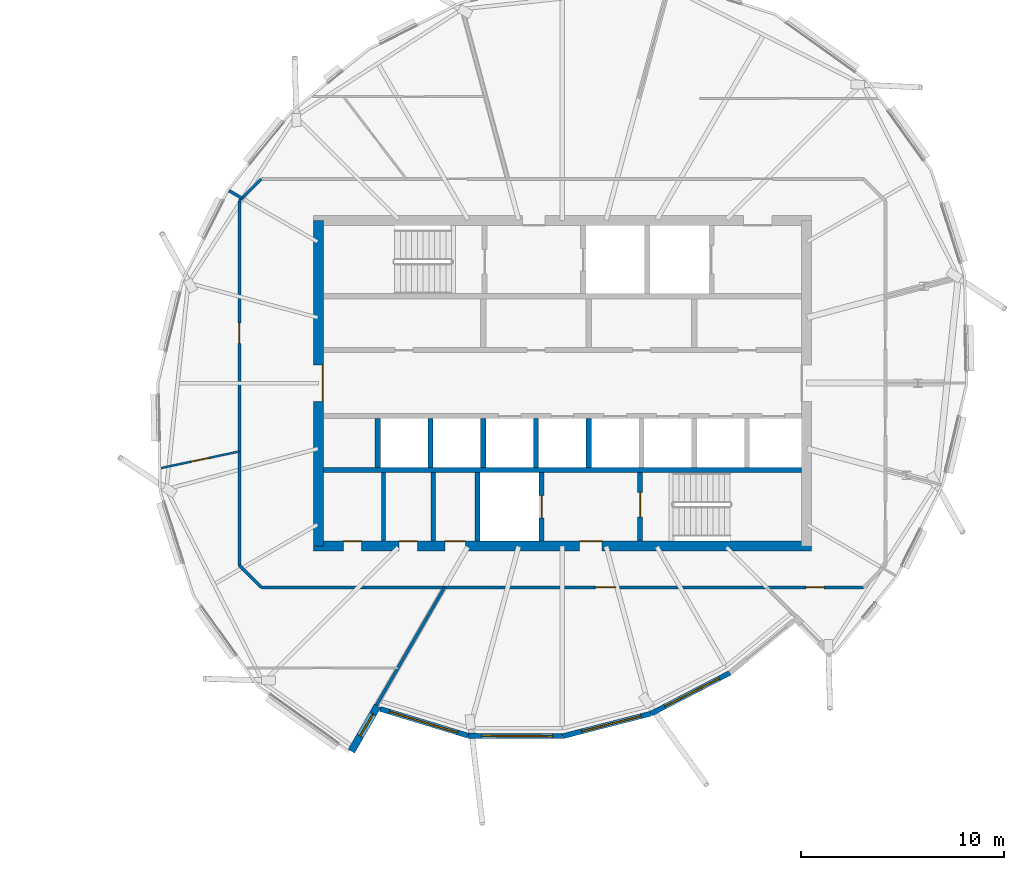
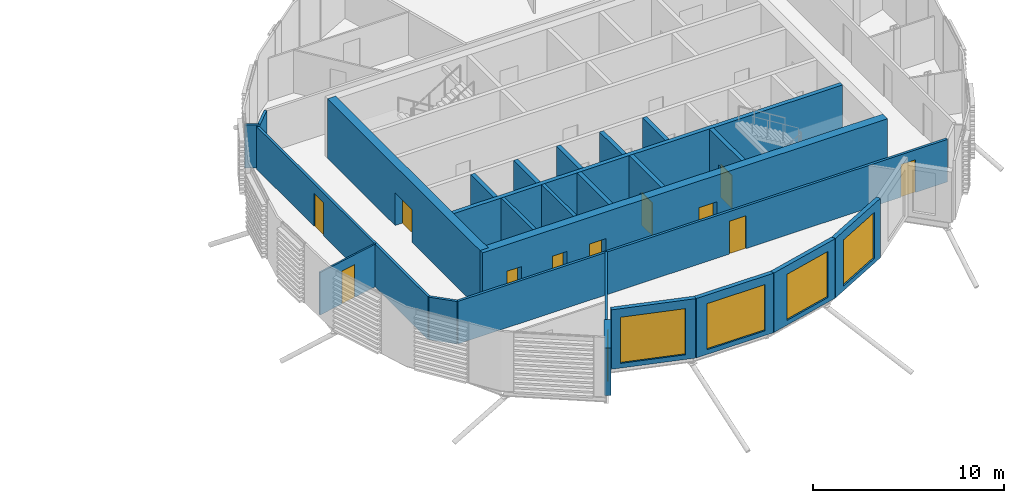
# One storey, part 23 of 41: 25 walls, 11 doors, 5 windows, 16 openings.
"""IFC4 building model written with IfcOpenShell, lengths in metres."""

from ifc_helpers import new_model, si_unit, direction, frame, frame_2d, origin, place, context, subcontext, project, spatial, rectangle, extrude, material, layer, layer_set, type_object, element, fill, save


model = new_model("IFC4")

# Units and contexts
model_context = context("Model", 3, precision=1e-05, world=origin(), true_north=direction((0.0, 1.0)))
body_context = subcontext(model_context, "Body", "Model", "MODEL_VIEW")
ifc_project = project(units=[si_unit("LENGTHUNIT", "METRE"), si_unit("AREAUNIT", "SQUARE_METRE"), si_unit("VOLUMEUNIT", "CUBIC_METRE"), si_unit("PLANEANGLEUNIT", "RADIAN"), si_unit("MASSUNIT", "GRAM", prefix="KILO")], contexts=[model_context])

# Site, building, storey
site_placement = place(None, origin())
site = spatial("IfcSite", under=ifc_project, at=site_placement, CompositionType="ELEMENT")
building_placement = place(site_placement, origin())
building = spatial("IfcBuilding", under=site, at=building_placement, Name="Rimbun Link Towers", CompositionType="ELEMENT")
storey_placement = place(building_placement, frame((0.0, 0.0, 214.300048828125)))
storey = spatial("IfcBuildingStorey", under=building, at=storey_placement, Name="L52", CompositionType="ELEMENT", Elevation=214.300048828125)

# Wall, opening, window
ifc_material_1 = material(Name="Dark enamelled glass spandrel on insulated aluminium backpan", Category="aluminium")
ifc_layer_1 = layer(ifc_material_1, 0.25)
ifc_layer_set_1 = layer_set([ifc_layer_1], Name="CS dark enamelled spandrel wall 250")
wall_type_1 = type_object("IfcWallType", Name="CS dark enamelled spandrel wall 250", PredefinedType="STANDARD", material=ifc_layer_set_1)
wall_1_placement = place(storey_placement, frame((27.11865234375, -17.338623046875, 0.0), z_axis=(0.0, 0.0, 1.0), x_axis=(-0.956574513319, 0.291487907928, 0.0)))
wall_1 = element("IfcWall", 1, at=wall_1_placement, inside=storey, type_object=wall_type_1, Name="Crease spandrel wall", PredefinedType="STANDARD", context=body_context, shape_type="SweptSolid", body=[
    extrude(rectangle(XDim=4.525390625, YDim=0.25, at=frame_2d((2.2626953125, 0.0))), origin(), (0.0, 0.0, 1.0), 3.800048828125),
])
opening_1_placement = place(wall_1_placement, frame((0.5498046875, 0.0, 0.300048828125)))
opening_1 = element("IfcOpeningElement", 2, at=opening_1_placement, cuts=wall_1, Name="Opening WR35H295", PredefinedType="OPENING", context=body_context, shape_type="SweptSolid", body=[
    extrude(rectangle(XDim=3.5, YDim=2.949951171875, at=frame_2d((1.75, 1.47509765625))), frame((0.0, 0.135009765625, 0.0), z_axis=(0.0, -1.0, 0.0), x_axis=(1.0, 0.0, 0.0)), (0.0, 0.0, 1.0), 0.27001953125),
])
ifc_material_2 = material(Name="Aluminium framed fixed window, dark tinted low-e glass", Category="aluminium")
window_type_1 = type_object("IfcWindowType", Name="WR ribbon window 3500X2950", PartitioningType="SINGLE_PANEL", PredefinedType="WINDOW", material=ifc_material_2)
window_1_placement = place(opening_1_placement, origin())
window_1 = element("IfcWindow", 3, at=window_1_placement, inside=storey, type_object=window_type_1, Name="Crease ribbon window", OverallHeight=2.949951171875, OverallWidth=3.5, PartitioningType="SINGLE_PANEL", PredefinedType="WINDOW", context=body_context, shape_type="SweptSolid", body=[
    extrude(rectangle(XDim=3.5, YDim=2.949951171875, at=frame_2d((1.75, 1.47509765625))), frame((0.0, 0.030029296875, 0.0), z_axis=(0.0, -1.0, 0.0), x_axis=(1.0, 0.0, 0.0)), (0.0, 0.0, 1.0), 0.06005859375),
])
fill(opening_1, window_1)

wall_2_placement = place(storey_placement, frame((31.765380859375, -17.361328125, 0.0), z_axis=(0.0, 0.0, 1.0), x_axis=(-0.999988062493, 0.004886191867, 0.0)))
wall_2 = element("IfcWall", 4, at=wall_2_placement, inside=storey, type_object=wall_type_1, Name="Crease spandrel wall", PredefinedType="STANDARD", context=body_context, shape_type="SweptSolid", body=[
    extrude(rectangle(XDim=4.646728515625, YDim=0.25, at=frame_2d((2.3232421875, 0.0))), origin(), (0.0, 0.0, 1.0), 3.800048828125),
])
opening_2_placement = place(wall_2_placement, frame((0.49267578125, 0.0, 0.300048828125)))
opening_2 = element("IfcOpeningElement", 5, at=opening_2_placement, cuts=wall_2, Name="Opening WR35H295", PredefinedType="OPENING", context=body_context, shape_type="SweptSolid", body=[
    extrude(rectangle(XDim=3.5, YDim=2.949951171875, at=frame_2d((1.75, 1.47509765625))), frame((0.0, 0.135009765625, 0.0), z_axis=(0.0, -1.0, 0.0), x_axis=(1.0, 0.0, 0.0)), (0.0, 0.0, 1.0), 0.27001953125),
])
window_2_placement = place(opening_2_placement, origin())
window_2 = element("IfcWindow", 6, at=window_2_placement, inside=storey, type_object=window_type_1, Name="Crease ribbon window", OverallHeight=2.949951171875, OverallWidth=3.5, PartitioningType="SINGLE_PANEL", PredefinedType="WINDOW", context=body_context, shape_type="SweptSolid", body=[
    extrude(rectangle(XDim=3.5, YDim=2.949951171875, at=frame_2d((1.75, 1.47509765625))), frame((0.0, 0.030029296875, 0.0), z_axis=(0.0, -1.0, 0.0), x_axis=(1.0, 0.0, 0.0)), (0.0, 0.0, 1.0), 0.06005859375),
])
fill(opening_2, window_2)

wall_3_placement = place(storey_placement, frame((36.116943359375, -16.247802734375, 0.0), z_axis=(0.0, 0.0, 1.0), x_axis=(-0.968784795865, -0.247903245845, 0.0)))
wall_3 = element("IfcWall", 7, at=wall_3_placement, inside=storey, type_object=wall_type_1, Name="Crease spandrel wall", PredefinedType="STANDARD", context=body_context, shape_type="SweptSolid", body=[
    extrude(rectangle(XDim=4.49169921875, YDim=0.25, at=frame_2d((2.245849609375, 0.0))), origin(), (0.0, 0.0, 1.0), 3.800048828125),
])
opening_3_placement = place(wall_3_placement, frame((0.51171875, 0.0, 0.300048828125)))
opening_3 = element("IfcOpeningElement", 8, at=opening_3_placement, cuts=wall_3, Name="Opening WR30H295", PredefinedType="OPENING", context=body_context, shape_type="SweptSolid", body=[
    extrude(rectangle(XDim=3.0, YDim=2.949951171875, at=frame_2d((1.5, 1.47509765625))), frame((0.0, 0.135009765625, 0.0), z_axis=(0.0, -1.0, 0.0), x_axis=(1.0, 0.0, 0.0)), (0.0, 0.0, 1.0), 0.27001953125),
])
ifc_material_3 = material(Name="Aluminium framed fixed window, dark tinted low-e glass", Category="aluminium")
window_type_2 = type_object("IfcWindowType", Name="WR ribbon window 3000X2950", PartitioningType="SINGLE_PANEL", PredefinedType="WINDOW", material=ifc_material_3)
window_3_placement = place(opening_3_placement, origin())
window_3 = element("IfcWindow", 9, at=window_3_placement, inside=storey, type_object=window_type_2, Name="Crease ribbon window", OverallHeight=2.949951171875, OverallWidth=3.0, PartitioningType="SINGLE_PANEL", PredefinedType="WINDOW", context=body_context, shape_type="SweptSolid", body=[
    extrude(rectangle(XDim=3.0, YDim=2.949951171875, at=frame_2d((1.5, 1.47509765625))), frame((0.0, 0.030029296875, 0.0), z_axis=(0.0, -1.0, 0.0), x_axis=(1.0, 0.0, 0.0)), (0.0, 0.0, 1.0), 0.06005859375),
])
fill(opening_3, window_3)

wall_4_placement = place(storey_placement, frame((39.9853515625, -14.249755859375, 0.0), z_axis=(0.0, 0.0, 1.0), x_axis=(-0.888484972791, -0.458905712674, 0.0)))
wall_4 = element("IfcWall", 10, at=wall_4_placement, inside=storey, type_object=wall_type_1, Name="Crease spandrel wall", PredefinedType="STANDARD", context=body_context, shape_type="SweptSolid", body=[
    extrude(rectangle(XDim=4.35400390625, YDim=0.25, at=frame_2d((2.177001953125, 0.0))), origin(), (0.0, 0.0, 1.0), 3.800048828125),
])
opening_4_placement = place(wall_4_placement, frame((0.593505859375, 0.0, 0.300048828125)))
opening_4 = element("IfcOpeningElement", 11, at=opening_4_placement, cuts=wall_4, Name="Opening WR30H295", PredefinedType="OPENING", context=body_context, shape_type="SweptSolid", body=[
    extrude(rectangle(XDim=3.0, YDim=2.949951171875, at=frame_2d((1.5, 1.47509765625))), frame((0.0, 0.135009765625, 0.0), z_axis=(0.0, -1.0, 0.0), x_axis=(1.0, 0.0, 0.0)), (0.0, 0.0, 1.0), 0.27001953125),
])
window_4_placement = place(opening_4_placement, origin())
window_4 = element("IfcWindow", 12, at=window_4_placement, inside=storey, type_object=window_type_2, Name="Crease ribbon window", OverallHeight=2.949951171875, OverallWidth=3.0, PartitioningType="SINGLE_PANEL", PredefinedType="WINDOW", context=body_context, shape_type="SweptSolid", body=[
    extrude(rectangle(XDim=3.0, YDim=2.949951171875, at=frame_2d((1.5, 1.47509765625))), frame((0.0, 0.030029296875, 0.0), z_axis=(0.0, -1.0, 0.0), x_axis=(1.0, 0.0, 0.0)), (0.0, 0.0, 1.0), 0.06005859375),
])
fill(opening_4, window_4)

ifc_material_4 = material(Name="Dark enamelled glass spandrel on insulated aluminium backpan", Category="aluminium")
ifc_layer_2 = layer(ifc_material_4, 0.3701171875)
ifc_layer_set_2 = layer_set([ifc_layer_2], Name="CS dark enamelled spandrel wall 370")
wall_type_2 = type_object("IfcWallType", Name="CS dark enamelled spandrel wall 370", PredefinedType="STANDARD", material=ifc_layer_set_2)
wall_5_placement = place(storey_placement, frame((22.664794921875, -15.865966796875, 0.0), z_axis=(0.0, 0.0, 1.0), x_axis=(-0.500006411147, -0.866021702275, 0.0)))
wall_5 = element("IfcWall", 13, at=wall_5_placement, inside=storey, type_object=wall_type_2, Name="Crease spandrel wall", PredefinedType="STANDARD", context=body_context, shape_type="SweptSolid", body=[
    extrude(rectangle(XDim=2.580078125, YDim=0.3701171875, at=frame_2d((1.2900390625, 0.0))), origin(), (0.0, 0.0, 1.0), 3.04736328125),
])
opening_5_placement = place(wall_5_placement, frame((0.46630859375, 0.0, 0.300048828125)))
opening_5 = element("IfcOpeningElement", 14, at=opening_5_placement, cuts=wall_5, Name="Opening WR12H245", PredefinedType="OPENING", context=body_context, shape_type="SweptSolid", body=[
    extrude(rectangle(XDim=1.25, YDim=2.449951171875, at=frame_2d((0.625, 1.22509765625))), frame((0.0, 0.195068359375, 0.0), z_axis=(0.0, -1.0, 0.0), x_axis=(1.0, 0.0, 0.0)), (0.0, 0.0, 1.0), 0.39013671875),
])
ifc_material_5 = material(Name="Aluminium framed fixed window, dark tinted low-e glass", Category="aluminium")
window_type_3 = type_object("IfcWindowType", Name="WR ribbon window 1250X2450", PartitioningType="SINGLE_PANEL", PredefinedType="WINDOW", material=ifc_material_5)
window_5_placement = place(opening_5_placement, origin())
window_5 = element("IfcWindow", 15, at=window_5_placement, inside=storey, type_object=window_type_3, Name="Crease ribbon window", OverallHeight=2.449951171875, OverallWidth=1.25, PartitioningType="SINGLE_PANEL", PredefinedType="WINDOW", context=body_context, shape_type="SweptSolid", body=[
    extrude(rectangle(XDim=1.25, YDim=2.449951171875, at=frame_2d((0.625, 1.22509765625))), frame((0.0, 0.030029296875, 0.0), z_axis=(0.0, -1.0, 0.0), x_axis=(1.0, 0.0, 0.0)), (0.0, 0.0, 1.0), 0.06005859375),
])
fill(opening_5, window_5)

# Walls
ifc_material_6 = material(Name="Masonry blockwork", Category="masonry")
ifc_layer_3 = layer(ifc_material_6, 0.199951171875)
ifc_layer_set_3 = layer_set([ifc_layer_3], Name="Core partition 200")
wall_type_3 = type_object("IfcWallType", Name="Core partition 200", PredefinedType="PARTITIONING", material=ifc_layer_set_3)
for number, where, z_axis, x_axis, name in (
    (16, (22.949951171875, -4.39990234375, 0.0), (0.0, 0.0, 1.0), (0.0, -1.0, 0.0), "L52 T2 core wall C1"),
    (17, (25.39990234375, -4.39990234375, 0.0), (0.0, 0.0, 1.0), (0.0, -1.0, 0.0), "L52 T2 core wall C2"),
):
    element("IfcWall", number, at=place(storey_placement, frame(where, z_axis=z_axis, x_axis=x_axis)), inside=storey, type_object=wall_type_3, Name=name, PredefinedType="PARTITIONING", context=body_context, shape_type="SweptSolid", body=[
        extrude(rectangle(XDim=3.35009765625, YDim=0.199951171875, at=frame_2d((1.675048828125, 0.0))), origin(), (0.0, 0.0, 1.0), 3.800048828125),
    ])

# Wall, openings, doors
ifc_material_7 = material(Name="Concrete C60/75", Category="concrete")
ifc_layer_4 = layer(ifc_material_7, 0.5)
ifc_layer_set_4 = layer_set([ifc_layer_4], Name="Core shear wall 500")
wall_type_4 = type_object("IfcWallType", Name="Core shear wall 500", PredefinedType="SHEAR", material=ifc_layer_set_4)
wall_6_placement = place(storey_placement, frame((19.5, -8.0, 0.0), z_axis=(0.0, 0.0, 1.0), x_axis=(1.0, 0.0, 0.0)))
wall_6 = element("IfcWall", 18, at=wall_6_placement, inside=storey, type_object=wall_type_4, Name="L52 T2 core wall S", PredefinedType="SHEAR", context=body_context, shape_type="SweptSolid", body=[
    extrude(rectangle(XDim=24.5, YDim=0.5, at=frame_2d((12.25, 0.0))), origin(), (0.0, 0.0, 1.0), 3.800048828125),
])
opening_6_placement = place(wall_6_placement, frame((13.10009765625, 0.0, 0.0)))
opening_6 = element("IfcOpeningElement", 19, at=opening_6_placement, cuts=wall_6, Name="Opening C2DCF01S", PredefinedType="OPENING", context=body_context, shape_type="SweptSolid", body=[
    extrude(rectangle(XDim=1.10009765625, YDim=2.10009765625, at=frame_2d((0.550048828125, 1.050048828125))), frame((0.0, 0.260009765625, 0.0), z_axis=(0.0, -1.0, 0.0), x_axis=(1.0, 0.0, 0.0)), (0.0, 0.0, 1.0), 0.52001953125),
])
opening_7_placement = place(wall_6_placement, frame((1.47509765625, 0.0, 0.0)))
opening_7 = element("IfcOpeningElement", 20, at=opening_7_placement, cuts=wall_6, Name="Opening C2DWC02S", PredefinedType="OPENING", context=body_context, shape_type="SweptSolid", body=[
    extrude(rectangle(XDim=0.89990234375, YDim=2.10009765625, at=frame_2d((0.449951171875, 1.050048828125))), frame((0.0, 0.260009765625, 0.0), z_axis=(0.0, -1.0, 0.0), x_axis=(1.0, 0.0, 0.0)), (0.0, 0.0, 1.0), 0.52001953125),
])
opening_8_placement = place(wall_6_placement, frame((4.22509765625, 0.0, 0.0)))
opening_8 = element("IfcOpeningElement", 21, at=opening_8_placement, cuts=wall_6, Name="Opening C2DWC03S", PredefinedType="OPENING", context=body_context, shape_type="SweptSolid", body=[
    extrude(rectangle(XDim=0.89990234375, YDim=2.10009765625, at=frame_2d((0.449951171875, 1.050048828125))), frame((0.0, 0.260009765625, 0.0), z_axis=(0.0, -1.0, 0.0), x_axis=(1.0, 0.0, 0.0)), (0.0, 0.0, 1.0), 0.52001953125),
])
opening_9_placement = place(wall_6_placement, frame((6.47509765625, 0.0, 0.0)))
opening_9 = element("IfcOpeningElement", 22, at=opening_9_placement, cuts=wall_6, Name="Opening C2DAW04S", PredefinedType="OPENING", context=body_context, shape_type="SweptSolid", body=[
    extrude(rectangle(XDim=1.0, YDim=2.10009765625, at=frame_2d((0.5, 1.050048828125))), frame((0.0, 0.260009765625, 0.0), z_axis=(0.0, -1.0, 0.0), x_axis=(1.0, 0.0, 0.0)), (0.0, 0.0, 1.0), 0.52001953125),
])
ifc_material_8 = material(Name="Timber", Category="wood")
door_type_1 = type_object("IfcDoorType", Name="Accessible WC door", OperationType="SINGLE_SWING_LEFT", PredefinedType="DOOR", material=ifc_material_8)
door_1_placement = place(opening_9_placement, origin())
door_1 = element("IfcDoor", 23, at=door_1_placement, inside=storey, type_object=door_type_1, Name="L52 T2 accessible wc door", OperationType="SINGLE_SWING_RIGHT", OverallHeight=2.10009765625, OverallWidth=1.0, PredefinedType="DOOR", context=body_context, shape_type="SweptSolid", body=[
    extrude(rectangle(XDim=1.0, YDim=2.10009765625, at=frame_2d((0.5, 1.050048828125))), frame((0.0, 0.25, 0.0), z_axis=(0.0, -1.0, 0.0), x_axis=(1.0, 0.0, 0.0)), (0.0, 0.0, 1.0), 0.050048828125),
])
fill(opening_9, door_1)
ifc_material_9 = material(Name="Steel fire door set", Category="steel")
door_type_2 = type_object("IfcDoorType", Name="Core fire door single", OperationType="SINGLE_SWING_LEFT", PredefinedType="DOOR", material=ifc_material_9)
door_2_placement = place(opening_6_placement, origin())
door_2 = element("IfcDoor", 24, at=door_2_placement, inside=storey, type_object=door_type_2, Name="L52 T2 firefighting lobby s door", OperationType="SINGLE_SWING_RIGHT", OverallHeight=2.10009765625, OverallWidth=1.10009765625, PredefinedType="DOOR", context=body_context, shape_type="SweptSolid", body=[
    extrude(rectangle(XDim=1.10009765625, YDim=2.10009765625, at=frame_2d((0.550048828125, 1.050048828125))), frame((0.0, 0.25, 0.0), z_axis=(0.0, -1.0, 0.0), x_axis=(1.0, 0.0, 0.0)), (0.0, 0.0, 1.0), 0.050048828125),
])
fill(opening_6, door_2)
ifc_material_10 = material(Name="Timber", Category="wood")
door_type_3 = type_object("IfcDoorType", Name="WC door", OperationType="SINGLE_SWING_LEFT", PredefinedType="DOOR", material=ifc_material_10)
door_3_placement = place(opening_7_placement, origin())
door_3 = element("IfcDoor", 25, at=door_3_placement, inside=storey, type_object=door_type_3, Name="L52 T2 male wc door", OperationType="SINGLE_SWING_RIGHT", OverallHeight=2.10009765625, OverallWidth=0.89990234375, PredefinedType="DOOR", context=body_context, shape_type="SweptSolid", body=[
    extrude(rectangle(XDim=0.89990234375, YDim=2.10009765625, at=frame_2d((0.449951171875, 1.050048828125))), frame((0.0, 0.25, 0.0), z_axis=(0.0, -1.0, 0.0), x_axis=(1.0, 0.0, 0.0)), (0.0, 0.0, 1.0), 0.050048828125),
])
fill(opening_7, door_3)
door_4_placement = place(opening_8_placement, origin())
door_4 = element("IfcDoor", 26, at=door_4_placement, inside=storey, type_object=door_type_3, Name="L52 T2 female wc door", OperationType="SINGLE_SWING_LEFT", OverallHeight=2.10009765625, OverallWidth=0.89990234375, PredefinedType="DOOR", context=body_context, shape_type="SweptSolid", body=[
    extrude(rectangle(XDim=0.89990234375, YDim=2.10009765625, at=frame_2d((0.449951171875, 1.050048828125))), frame((0.0, 0.25, 0.0), z_axis=(0.0, -1.0, 0.0), x_axis=(1.0, 0.0, 0.0)), (0.0, 0.0, 1.0), 0.050048828125),
])
fill(opening_8, door_4)

# Wall, opening, door
wall_7_placement = place(storey_placement, frame((19.75, -8.0, 0.0), z_axis=(0.0, 0.0, 1.0), x_axis=(0.0, 1.0, 0.0)))
wall_7 = element("IfcWall", 27, at=wall_7_placement, inside=storey, type_object=wall_type_4, Name="L52 T2 core wall W", PredefinedType="SHEAR", context=body_context, shape_type="SweptSolid", body=[
    extrude(rectangle(XDim=16.0, YDim=0.5, at=frame_2d((8.0, 0.0))), origin(), (0.0, 0.0, 1.0), 3.800048828125),
])
opening_10_placement = place(wall_7_placement, frame((7.10009765625, 0.0, 0.0)))
opening_10 = element("IfcOpeningElement", 28, at=opening_10_placement, cuts=wall_7, Name="Opening C2DCL01W", PredefinedType="OPENING", context=body_context, shape_type="SweptSolid", body=[
    extrude(rectangle(XDim=1.800048828125, YDim=2.10009765625, at=frame_2d((0.89990234375, 1.050048828125))), frame((0.0, 0.260009765625, 0.0), z_axis=(0.0, -1.0, 0.0), x_axis=(1.0, 0.0, 0.0)), (0.0, 0.0, 1.0), 0.52001953125),
])
ifc_material_11 = material(Name="Steel fire door set", Category="steel")
door_type_4 = type_object("IfcDoorType", Name="Core lobby door double", OperationType="DOUBLE_DOOR_SINGLE_SWING", PredefinedType="DOOR", material=ifc_material_11)
door_5_placement = place(opening_10_placement, origin())
door_5 = element("IfcDoor", 29, at=door_5_placement, inside=storey, type_object=door_type_4, Name="L52 T2 lift lobby door", OperationType="DOUBLE_DOOR_SINGLE_SWING", OverallHeight=2.10009765625, OverallWidth=1.800048828125, PredefinedType="DOOR", context=body_context, shape_type="SweptSolid", body=[
    extrude(rectangle(XDim=1.800048828125, YDim=2.10009765625, at=frame_2d((0.89990234375, 1.050048828125))), frame((0.0, -0.2001953125, 0.0), z_axis=(0.0, -1.0, 0.0), x_axis=(1.0, 0.0, 0.0)), (0.0, 0.0, 1.0), 0.050048828125),
])
fill(opening_10, door_5)

# Wall, openings, doors
ifc_material_12 = material(Name="Plasterboard on steel stud, mineral wool", Category="steel")
ifc_layer_5 = layer(ifc_material_12, 0.14990234375)
ifc_layer_set_5 = layer_set([ifc_layer_5], Name="Corridor wall EI 30 150 mm")
wall_type_5 = type_object("IfcWallType", Name="Corridor wall EI 30 150 mm", PredefinedType="PARTITIONING", material=ifc_layer_set_5)
wall_8_placement = place(storey_placement, frame((46.5537109375, -10.044921875, 0.0), z_axis=(0.0, 0.0, 1.0), x_axis=(-1.0, 0.0, 0.0)))
wall_8 = element("IfcWall", 30, at=wall_8_placement, inside=storey, type_object=wall_type_5, Name="Corridor wall EI 30 150 mm", PredefinedType="PARTITIONING", context=body_context, shape_type="SweptSolid", body=[
    extrude(rectangle(XDim=29.607421875, YDim=0.14990234375, at=frame_2d((14.8037109375, 0.0))), origin(), (0.0, 0.0, 1.0), 2.721923828125),
])
opening_11_placement = place(wall_8_placement, frame((1.92919921875, 0.0, 0.0)))
opening_11 = element("IfcOpeningElement", 31, at=opening_11_placement, cuts=wall_8, Name="Opening D02", PredefinedType="OPENING", context=body_context, shape_type="SweptSolid", body=[
    extrude(rectangle(XDim=0.89990234375, YDim=2.10009765625, at=frame_2d((0.449951171875, 1.050048828125))), frame((0.0, 0.0849609375, 0.0), z_axis=(0.0, -1.0, 0.0), x_axis=(1.0, 0.0, 0.0)), (0.0, 0.0, 1.0), 0.169921875),
])
opening_12_placement = place(wall_8_placement, frame((12.180908203125, 0.0, 0.0)))
opening_12 = element("IfcOpeningElement", 32, at=opening_12_placement, cuts=wall_8, Name="Opening D01", PredefinedType="OPENING", context=body_context, shape_type="SweptSolid", body=[
    extrude(rectangle(XDim=1.0, YDim=2.10009765625, at=frame_2d((0.5, 1.050048828125))), frame((0.0, 0.0849609375, 0.0), z_axis=(0.0, -1.0, 0.0), x_axis=(1.0, 0.0, 0.0)), (0.0, 0.0, 1.0), 0.169921875),
])
ifc_material_13 = material(Name="Fire-resisting timber door leaf", Category="wood")
door_type_5 = type_object("IfcDoorType", Name="Fire door FD30S 1000", OperationType="NOTDEFINED", PredefinedType="DOOR", material=ifc_material_13)
door_6_placement = place(opening_12_placement, origin())
door_6 = element("IfcDoor", 33, at=door_6_placement, inside=storey, type_object=door_type_5, Name="Fire door FD30S 1000 to Terrace office", OperationType="SINGLE_SWING_RIGHT", OverallHeight=2.10009765625, OverallWidth=1.0, PredefinedType="DOOR", context=body_context, shape_type="SweptSolid", body=[
    extrude(rectangle(XDim=1.0, YDim=2.10009765625, at=frame_2d((0.5, 1.050048828125))), frame((0.0, 0.02490234375, 0.0), z_axis=(0.0, -1.0, 0.0), x_axis=(1.0, 0.0, 0.0)), (0.0, 0.0, 1.0), 0.050048828125),
])
fill(opening_12, door_6)
ifc_material_14 = material(Name="Fire-resisting timber door leaf", Category="wood")
door_type_6 = type_object("IfcDoorType", Name="Fire door FD30S 900", OperationType="NOTDEFINED", PredefinedType="DOOR", material=ifc_material_14)
door_7_placement = place(opening_11_placement, origin())
door_7 = element("IfcDoor", 34, at=door_7_placement, inside=storey, type_object=door_type_6, Name="Fire door FD30S 900 to Meeting room", OperationType="SINGLE_SWING_LEFT", OverallHeight=2.10009765625, OverallWidth=0.89990234375, PredefinedType="DOOR", context=body_context, shape_type="SweptSolid", body=[
    extrude(rectangle(XDim=0.89990234375, YDim=2.10009765625, at=frame_2d((0.449951171875, 1.050048828125))), frame((0.0, 0.02490234375, 0.0), z_axis=(0.0, -1.0, 0.0), x_axis=(1.0, 0.0, 0.0)), (0.0, 0.0, 1.0), 0.050048828125),
])
fill(opening_11, door_7)

# Wall
wall_9_placement = place(storey_placement, frame((15.864990234375, -8.963623046875, 0.0), z_axis=(0.0, 0.0, 1.0), x_axis=(0.707106781187, -0.707106781187, 0.0)))
element("IfcWall", 35, at=wall_9_placement, inside=storey, type_object=wall_type_5, Name="Corridor wall EI 30 150 mm", PredefinedType="PARTITIONING", context=body_context, shape_type="SweptSolid", body=[
    extrude(rectangle(XDim=1.529296875, YDim=0.14990234375, at=frame_2d((0.7646484375, 0.0))), origin(), (0.0, 0.0, 1.0), 2.721923828125),
])

# Wall, opening, door
wall_10_placement = place(storey_placement, frame((15.864990234375, -8.963623046875, 0.0), z_axis=(0.0, 0.0, 1.0), x_axis=(0.0, 1.0, 0.0)))
wall_10 = element("IfcWall", 36, at=wall_10_placement, inside=storey, type_object=wall_type_5, Name="Corridor wall EI 30 150 mm", PredefinedType="PARTITIONING", context=body_context, shape_type="SweptSolid", body=[
    extrude(rectangle(XDim=17.92724609375, YDim=0.14990234375, at=frame_2d((8.963623046875, 0.0))), origin(), (0.0, 0.0, 1.0), 2.721923828125),
])
opening_13_placement = place(wall_10_placement, frame((10.923583984375, 0.0, 0.0)))
opening_13 = element("IfcOpeningElement", 37, at=opening_13_placement, cuts=wall_10, Name="Opening D01", PredefinedType="OPENING", context=body_context, shape_type="SweptSolid", body=[
    extrude(rectangle(XDim=1.0, YDim=2.10009765625, at=frame_2d((0.5, 1.050048828125))), frame((0.0, 0.0849609375, 0.0), z_axis=(0.0, -1.0, 0.0), x_axis=(1.0, 0.0, 0.0)), (0.0, 0.0, 1.0), 0.169921875),
])
door_8_placement = place(opening_13_placement, origin())
door_8 = element("IfcDoor", 38, at=door_8_placement, inside=storey, type_object=door_type_5, Name="Fire door FD30S 1000 to Reception", OperationType="SINGLE_SWING_LEFT", OverallHeight=2.10009765625, OverallWidth=1.0, PredefinedType="DOOR", context=body_context, shape_type="SweptSolid", body=[
    extrude(rectangle(XDim=1.0, YDim=2.10009765625, at=frame_2d((0.5, 1.050048828125))), frame((0.0, 0.02490234375, 0.0), z_axis=(0.0, -1.0, 0.0), x_axis=(1.0, 0.0, 0.0)), (0.0, 0.0, 1.0), 0.050048828125),
])
fill(opening_13, door_8)

# Wall
wall_11_placement = place(storey_placement, frame((16.9462890625, 10.044921875, 0.0), z_axis=(0.0, 0.0, 1.0), x_axis=(-0.707106781187, -0.707106781187, 0.0)))
element("IfcWall", 39, at=wall_11_placement, inside=storey, type_object=wall_type_5, Name="Corridor wall EI 30 150 mm", PredefinedType="PARTITIONING", context=body_context, shape_type="SweptSolid", body=[
    extrude(rectangle(XDim=1.529296875, YDim=0.14990234375, at=frame_2d((0.7646484375, 0.0))), origin(), (0.0, 0.0, 1.0), 2.721923828125),
])

# Wall, opening, door
ifc_material_15 = material(Name="Plasterboard on steel stud", Category="steel")
ifc_layer_6 = layer(ifc_material_15, 0.10009765625)
ifc_layer_set_6 = layer_set([ifc_layer_6], Name="Plasterboard partition 100 mm")
wall_type_6 = type_object("IfcWallType", Name="Plasterboard partition 100 mm", PredefinedType="PARTITIONING", material=ifc_layer_set_6)
wall_12_placement = place(storey_placement, frame((15.864990234375, -3.360107421875, 0.0), z_axis=(0.0, 0.0, 1.0), x_axis=(-0.978341998754, -0.206995008331, 0.0)))
wall_12 = element("IfcWall", 40, at=wall_12_placement, inside=storey, type_object=wall_type_6, Name="Plasterboard partition 100 mm", PredefinedType="PARTITIONING", context=body_context, shape_type="SweptSolid", body=[
    extrude(rectangle(XDim=3.94873046875, YDim=0.10009765625, at=frame_2d((1.974365234375, 0.0))), origin(), (0.0, 0.0, 1.0), 2.721923828125),
])
opening_14_placement = place(wall_12_placement, frame((1.5244140625, 0.0, 0.0)))
opening_14 = element("IfcOpeningElement", 41, at=opening_14_placement, cuts=wall_12, Name="Opening D04", PredefinedType="OPENING", context=body_context, shape_type="SweptSolid", body=[
    extrude(rectangle(XDim=0.89990234375, YDim=2.10009765625, at=frame_2d((0.449951171875, 1.050048828125))), frame((0.0, 0.06005859375, 0.0), z_axis=(0.0, -1.0, 0.0), x_axis=(1.0, 0.0, 0.0)), (0.0, 0.0, 1.0), 0.1201171875),
])
ifc_material_16 = material(Name="Timber door leaf", Category="wood")
door_type_7 = type_object("IfcDoorType", Name="Flush door 900", OperationType="NOTDEFINED", PredefinedType="DOOR", material=ifc_material_16)
door_9_placement = place(opening_14_placement, origin())
door_9 = element("IfcDoor", 42, at=door_9_placement, inside=storey, type_object=door_type_7, Name="Flush door 900 to Meeting room", OperationType="SINGLE_SWING_RIGHT", OverallHeight=2.10009765625, OverallWidth=0.89990234375, PredefinedType="DOOR", context=body_context, shape_type="SweptSolid", body=[
    extrude(rectangle(XDim=0.89990234375, YDim=2.10009765625, at=frame_2d((0.449951171875, 1.050048828125))), frame((0.0, 0.02490234375, 0.0), z_axis=(0.0, -1.0, 0.0), x_axis=(1.0, 0.0, 0.0)), (0.0, 0.0, 1.0), 0.050048828125),
])
fill(opening_14, door_9)

# Walls
ifc_material_17 = material(Name="Concrete C60/75", Category="concrete")
ifc_layer_7 = layer(ifc_material_17, 0.25)
ifc_layer_set_7 = layer_set([ifc_layer_7], Name="Shaft wall 250")
wall_type_7 = type_object("IfcWallType", Name="Shaft wall 250", PredefinedType="SHEAR", material=ifc_layer_set_7)
wall_13_placement = place(storey_placement, frame((20.0, -4.27490234375, 0.0), z_axis=(0.0, 0.0, 1.0), x_axis=(1.0, 0.0, 0.0)))
element("IfcWall", 43, at=wall_13_placement, inside=storey, type_object=wall_type_7, Name="L52 T2 core wall BS", PredefinedType="SHEAR", context=body_context, shape_type="SweptSolid", body=[
    extrude(rectangle(XDim=23.5, YDim=0.25, at=frame_2d((11.75, 0.0))), origin(), (0.0, 0.0, 1.0), 3.800048828125),
])
for number, where, z_axis, x_axis, name in (
    (44, (22.66943359375, -4.14990234375, 0.0), (0.0, 0.0, 1.0), (0.0, 1.0, 0.0), "L52 T2 core wall DS0"),
    (45, (25.263916015625, -4.14990234375, 0.0), (0.0, 0.0, 1.0), (0.0, 1.0, 0.0), "L52 T2 core wall DS1"),
    (46, (27.8583984375, -4.14990234375, 0.0), (0.0, 0.0, 1.0), (0.0, 1.0, 0.0), "L52 T2 core wall DS2"),
    (47, (30.452880859375, -4.14990234375, 0.0), (0.0, 0.0, 1.0), (0.0, 1.0, 0.0), "L52 T2 core wall DS3"),
    (48, (33.047119140625, -4.14990234375, 0.0), (0.0, 0.0, 1.0), (0.0, 1.0, 0.0), "L52 T2 core wall DS4"),
):
    element("IfcWall", number, at=place(storey_placement, frame(where, z_axis=z_axis, x_axis=x_axis)), inside=storey, type_object=wall_type_7, Name=name, PredefinedType="SHEAR", context=body_context, shape_type="SweptSolid", body=[
        extrude(rectangle(XDim=2.39990234375, YDim=0.25, at=frame_2d((1.199951171875, 0.0))), origin(), (0.0, 0.0, 1.0), 3.800048828125),
    ])

# Wall, opening, door
wall_14_placement = place(storey_placement, frame((35.574951171875, -4.39990234375, 0.0), z_axis=(0.0, 0.0, 1.0), x_axis=(0.0, -1.0, 0.0)))
wall_14 = element("IfcWall", 49, at=wall_14_placement, inside=storey, type_object=wall_type_7, Name="L52 T2 core wall B1", PredefinedType="SHEAR", context=body_context, shape_type="SweptSolid", body=[
    extrude(rectangle(XDim=3.35009765625, YDim=0.25, at=frame_2d((1.675048828125, 0.0))), origin(), (0.0, 0.0, 1.0), 3.800048828125),
])
opening_15_placement = place(wall_14_placement, frame((0.97509765625, 0.0, 0.0)))
opening_15 = element("IfcOpeningElement", 50, at=opening_15_placement, cuts=wall_14, Name="Opening C2DST01B1", PredefinedType="OPENING", context=body_context, shape_type="SweptSolid", body=[
    extrude(rectangle(XDim=1.199951171875, YDim=2.10009765625, at=frame_2d((0.60009765625, 1.050048828125))), frame((0.0, 0.135009765625, 0.0), z_axis=(0.0, -1.0, 0.0), x_axis=(1.0, 0.0, 0.0)), (0.0, 0.0, 1.0), 0.27001953125),
])
ifc_material_18 = material(Name="Steel fire door set", Category="steel")
door_type_8 = type_object("IfcDoorType", Name="Stair door", OperationType="SINGLE_SWING_LEFT", PredefinedType="DOOR", material=ifc_material_18)
door_10_placement = place(opening_15_placement, origin())
door_10 = element("IfcDoor", 51, at=door_10_placement, inside=storey, type_object=door_type_8, Name="L52 T2 stair b door", OperationType="SINGLE_SWING_RIGHT", OverallHeight=2.10009765625, OverallWidth=1.199951171875, PredefinedType="DOOR", context=body_context, shape_type="SweptSolid", body=[
    extrude(rectangle(XDim=1.199951171875, YDim=2.10009765625, at=frame_2d((0.60009765625, 1.050048828125))), frame((0.0, 0.02490234375, 0.0), z_axis=(0.0, -1.0, 0.0), x_axis=(1.0, 0.0, 0.0)), (0.0, 0.0, 1.0), 0.050048828125),
])
fill(opening_15, door_10)

wall_15_placement = place(storey_placement, frame((30.72509765625, -4.39990234375, 0.0), z_axis=(0.0, 0.0, 1.0), x_axis=(0.0, -1.0, 0.0)))
wall_15 = element("IfcWall", 52, at=wall_15_placement, inside=storey, type_object=wall_type_7, Name="L52 T2 core wall B2", PredefinedType="SHEAR", context=body_context, shape_type="SweptSolid", body=[
    extrude(rectangle(XDim=3.35009765625, YDim=0.25, at=frame_2d((1.675048828125, 0.0))), origin(), (0.0, 0.0, 1.0), 3.800048828125),
])
opening_16_placement = place(wall_15_placement, frame((1.125, 0.0, 0.0)))
opening_16 = element("IfcOpeningElement", 53, at=opening_16_placement, cuts=wall_15, Name="Opening LD-T2-FF2", PredefinedType="OPENING", context=body_context, shape_type="SweptSolid", body=[
    extrude(rectangle(XDim=1.10009765625, YDim=2.10009765625, at=frame_2d((0.550048828125, 1.050048828125))), frame((0.0, 0.135009765625, 0.0), z_axis=(0.0, -1.0, 0.0), x_axis=(1.0, 0.0, 0.0)), (0.0, 0.0, 1.0), 0.27001953125),
])
ifc_material_19 = material(Name="Stainless steel grade 316", Category="steel")
door_type_9 = type_object("IfcDoorType", Name="Lift landing door", OperationType="DOUBLE_DOOR_SLIDING", PredefinedType="DOOR", material=ifc_material_19)
door_11_placement = place(opening_16_placement, origin())
door_11 = element("IfcDoor", 54, at=door_11_placement, inside=storey, type_object=door_type_9, Name="L52 T2 lift FF2 landing door", OperationType="DOUBLE_DOOR_SLIDING", OverallHeight=2.10009765625, OverallWidth=1.10009765625, PredefinedType="DOOR", context=body_context, shape_type="SweptSolid", body=[
    extrude(rectangle(XDim=1.10009765625, YDim=2.10009765625, at=frame_2d((0.550048828125, 1.050048828125))), frame((0.0, 0.02490234375, 0.0), z_axis=(0.0, -1.0, 0.0), x_axis=(1.0, 0.0, 0.0)), (0.0, 0.0, 1.0), 0.050048828125),
])
fill(opening_16, door_11)

# Walls
wall_16_placement = place(storey_placement, frame((27.574951171875, -4.39990234375, 0.0), z_axis=(0.0, 0.0, 1.0), x_axis=(0.0, -1.0, 0.0)))
element("IfcWall", 55, at=wall_16_placement, inside=storey, type_object=wall_type_7, Name="L52 T2 core wall B3", PredefinedType="SHEAR", context=body_context, shape_type="SweptSolid", body=[
    extrude(rectangle(XDim=3.35009765625, YDim=0.25, at=frame_2d((1.675048828125, 0.0))), origin(), (0.0, 0.0, 1.0), 3.800048828125),
])
ifc_material_20 = material(Name="Plasterboard on steel stud, mineral wool", Category="steel")
ifc_layer_8 = layer(ifc_material_20, 0.14990234375)
ifc_layer_set_8 = layer_set([ifc_layer_8], Name="Tenancy separation wall EI 60 150 mm")
wall_type_8 = type_object("IfcWallType", Name="Tenancy separation wall EI 60 150 mm", PredefinedType="PARTITIONING", material=ifc_layer_set_8)
wall_17_placement = place(storey_placement, frame((15.99658203125, 9.09521484375, 0.0), z_axis=(0.0, 0.0, 1.0), x_axis=(-0.866048655292, 0.499959725045, 0.0)))
element("IfcWall", 56, at=wall_17_placement, inside=storey, type_object=wall_type_8, Name="Tenancy separation wall EI 60 150 mm", PredefinedType="PARTITIONING", context=body_context, shape_type="SweptSolid", body=[
    extrude(rectangle(XDim=0.7421875, YDim=0.14990234375, at=frame_2d((0.37109375, 0.0))), origin(), (0.0, 0.0, 1.0), 2.721923828125),
])
wall_18_placement = place(storey_placement, frame((25.950439453125, -10.044921875, 0.0), z_axis=(0.0, 0.0, 1.0), x_axis=(-0.500000688076, -0.866025006523, 0.0)))
element("IfcWall", 57, at=wall_18_placement, inside=storey, type_object=wall_type_8, Name="Tenancy separation wall EI 60 150 mm", PredefinedType="PARTITIONING", context=body_context, shape_type="SweptSolid", body=[
    extrude(rectangle(XDim=6.68408203125, YDim=0.14990234375, at=frame_2d((3.342041015625, 0.0))), origin(), (0.0, 0.0, 1.0), 2.721923828125),
])

save(model, "model.ifc")
